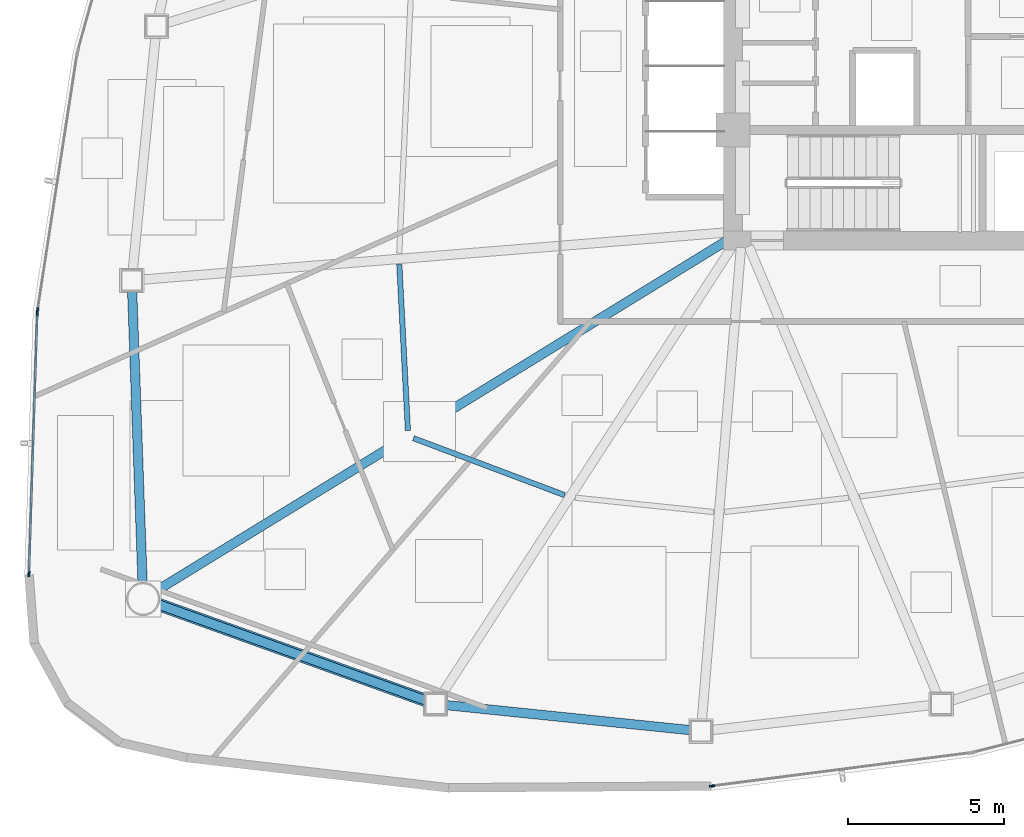
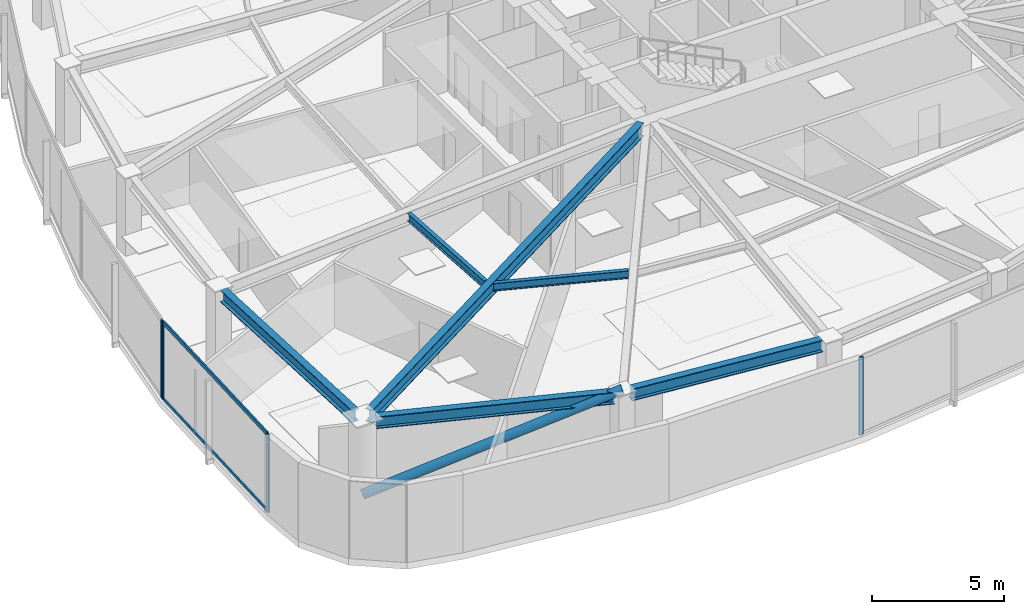
# One storey, part 2 of 17: 7 members, 6 beams, 3 elements without a shape of their own.
"""IFC4 building model written with IfcOpenShell, lengths in metres."""

from ifc_helpers import new_model, si_unit, direction, frame, origin, origin_2d, place, context, subcontext, project, spatial, hollow_rectangle, hollow_circle, i_section, extrude, source, transform, mapped, material, layer, layer_set, material_profile, profile_set, type_object, type_shapes, element, aggregate, save


model = new_model("IFC4")

# Units and contexts
model_context = context("Model", 3, precision=1e-05, world=origin(), true_north=direction((0.0, 1.0)))
body_context = subcontext(model_context, "Body", "Model", "MODEL_VIEW")
ifc_project = project(units=[si_unit("LENGTHUNIT", "METRE"), si_unit("AREAUNIT", "SQUARE_METRE"), si_unit("VOLUMEUNIT", "CUBIC_METRE"), si_unit("PLANEANGLEUNIT", "RADIAN"), si_unit("MASSUNIT", "GRAM", prefix="KILO")], contexts=[model_context])

# Site, building, storey
site_placement = place(None, origin())
site = spatial("IfcSite", under=ifc_project, at=site_placement, CompositionType="ELEMENT")
building_placement = place(site_placement, origin())
building = spatial("IfcBuilding", under=site, at=building_placement, Name="Tavelor Broadcast Tower", CompositionType="ELEMENT")
storey_placement = place(building_placement, frame((0.0, 0.0, 70.5)))
storey = spatial("IfcBuildingStorey", under=building, at=storey_placement, Name="L16", CompositionType="ELEMENT", Elevation=70.5)

# Beams
ifc_material_1 = material(Name="Steel S355", Category="steel")
ifc_material_profile_1 = material_profile(ifc_material_1, i_section(OverallWidth=0.169921875, OverallDepth=0.360107421875, WebThickness=0.008056640625, FlangeThickness=0.0126953125, at=origin_2d()), Name="IPE 360")
ifc_profile_set_1 = profile_set([ifc_material_profile_1], Name="Steel S355")
beam_type_1 = type_object("IfcBeamType", Name="Composite Floor Joist T2 IPE 360", PredefinedType="JOIST", material=ifc_profile_set_1)
beam_1_placement = place(storey_placement, frame((32.386474609375, 37.72900390625, 3.419921875), z_axis=(0.051611065527, -0.998667260861, 0.0), x_axis=(0.998667260861, 0.051611065527, 0.0)))
element("IfcBeam", 1, at=beam_1_placement, inside=storey, type_object=beam_type_1, Name="L16 Secondary Composite Floor Joist 06", PredefinedType="JOIST", context=body_context, shape_type="SweptSolid", body=[
    extrude(i_section(OverallWidth=0.169921875, OverallDepth=0.360107421875, WebThickness=0.008056640625, FlangeThickness=0.0126953125, at=origin_2d()), origin(), (0.0, 0.0, 1.0), 5.340576171875),
])
beam_2_placement = place(storey_placement, frame((32.8408203125, 32.15087890625, 3.419921875), z_axis=(0.935788002818, -0.352563205371, 0.0), x_axis=(0.352563205371, 0.935788002818, 0.0)))
element("IfcBeam", 2, at=beam_2_placement, inside=storey, type_object=beam_type_1, Name="L16 Secondary Composite Floor Joist 07", PredefinedType="JOIST", context=body_context, shape_type="SweptSolid", body=[
    extrude(i_section(OverallWidth=0.169921875, OverallDepth=0.360107421875, WebThickness=0.008056640625, FlangeThickness=0.0126953125, at=origin_2d()), origin(), (0.0, 0.0, 1.0), 5.18310546875),
])
ifc_material_profile_2 = material_profile(ifc_material_1, i_section(OverallWidth=0.300048828125, OverallDepth=0.550048828125, WebThickness=0.014892578125, FlangeThickness=0.029052734375, at=origin_2d()), Name="HEB 550")
ifc_profile_set_2 = profile_set([ifc_material_profile_2], Name="Steel S355")
beam_type_2 = type_object("IfcBeamType", Name="Perimeter Spandrel Beam T2 HEB 550", PredefinedType="SPANDREL", material=ifc_profile_set_2)
beam_3_placement = place(storey_placement, frame((23.806640625, 36.880615234375, 3.324951171875), z_axis=(0.035613586899, -0.999365635005, 0.0), x_axis=(0.999365635005, 0.035613586899, 0.0)))
element("IfcBeam", 3, at=beam_3_placement, inside=storey, type_object=beam_type_2, Name="L16 Framed-Tube Ring Spandrel 06", PredefinedType="SPANDREL", context=body_context, shape_type="SweptSolid", body=[
    extrude(i_section(OverallWidth=0.300048828125, OverallDepth=0.550048828125, WebThickness=0.014892578125, FlangeThickness=0.029052734375, at=origin_2d()), origin(), (0.0, 0.0, 1.0), 9.384765625),
])
beam_4_placement = place(storey_placement, frame((24.64111328125, 26.81640625, 3.324951171875), z_axis=(0.941105692238, -0.338112519789, 0.0), x_axis=(0.338112519789, 0.941105692238, 0.0)))
element("IfcBeam", 4, at=beam_4_placement, inside=storey, type_object=beam_type_2, Name="L16 Framed-Tube Ring Spandrel 07", PredefinedType="SPANDREL", context=body_context, shape_type="SweptSolid", body=[
    extrude(i_section(OverallWidth=0.300048828125, OverallDepth=0.550048828125, WebThickness=0.014892578125, FlangeThickness=0.029052734375, at=origin_2d()), origin(), (0.0, 0.0, 1.0), 9.13134765625),
])
beam_5_placement = place(storey_placement, frame((33.885009765625, 23.581298828125, 3.324951171875), z_axis=(0.994770407806, -0.102136358626, 0.0), x_axis=(0.102136358626, 0.994770407806, 0.0)))
element("IfcBeam", 5, at=beam_5_placement, inside=storey, type_object=beam_type_2, Name="L16 Framed-Tube Ring Spandrel 08", PredefinedType="SPANDREL", context=body_context, shape_type="SweptSolid", body=[
    extrude(i_section(OverallWidth=0.300048828125, OverallDepth=0.550048828125, WebThickness=0.014892578125, FlangeThickness=0.029052734375, at=origin_2d()), origin(), (0.0, 0.0, 1.0), 7.895263671875),
])

# Member
ifc_material_profile_3 = material_profile(ifc_material_1, hollow_circle(Radius=0.203125, WallThickness=0.02001953125, at=origin_2d()), Name="CHS 406.4x20")
ifc_profile_set_3 = profile_set([ifc_material_profile_3], Name="Steel S355")
member_type_1 = type_object("IfcMemberType", Name="Perimeter Tube Brace T2 CHS 406.4x20", PredefinedType="BRACE", material=ifc_profile_set_3)
member_1_placement = place(storey_placement, frame((24.1591796875, 26.98974609375, 0.0), z_axis=(0.885257630536, -0.318060354363, 0.339347224183), x_axis=(0.338124247145, 0.941101478849, 0.0)))
element("IfcMember", 6, at=member_1_placement, inside=storey, type_object=member_type_1, Name="L16 Corner Tube Diagonal Brace 2", PredefinedType="BRACE", context=body_context, shape_type="SweptSolid", body=[
    extrude(hollow_circle(Radius=0.203125, WallThickness=0.02001953125, at=origin_2d()), origin(), (0.0, 0.0, 1.0), 10.60888671875),
])

# Beam
ifc_material_profile_4 = material_profile(ifc_material_1, i_section(OverallWidth=0.300048828125, OverallDepth=0.60009765625, WebThickness=0.015380859375, FlangeThickness=0.030029296875, at=origin_2d()), Name="HEB 600")
ifc_profile_set_4 = profile_set([ifc_material_profile_4], Name="Steel S355")
beam_type_3 = type_object("IfcBeamType", Name="Radial Floor Girder T2 HEB 600", PredefinedType="BEAM", material=ifc_profile_set_4)
beam_6_placement = place(storey_placement, frame((42.949951171875, 38.523681640625, 3.300048828125), z_axis=(-0.852254843795, -0.52312683092, 0.0), x_axis=(0.52312683092, -0.852254843795, 0.0)))
element("IfcBeam", 7, at=beam_6_placement, inside=storey, type_object=beam_type_3, Name="L16 Radial Primary Floor Girder 07", PredefinedType="BEAM", context=body_context, shape_type="SweptSolid", body=[
    extrude(i_section(OverallWidth=0.300048828125, OverallDepth=0.60009765625, WebThickness=0.015380859375, FlangeThickness=0.030029296875, at=origin_2d()), origin(), (0.0, 0.0, 1.0), 21.5361328125),
])

# Curtain wall, member
ifc_material_2 = material(Name="Architectural Anodized Aluminium", Category="aluminium")
ifc_layer = layer(ifc_material_2, 0.179931640625)
ifc_layer_set = layer_set([ifc_layer], Name="Architectural Anodized Aluminium")
curtain_wall_type = type_object("IfcCurtainWallType", Name="Tower Low-Zone Unitised Curtain Wall CW02", PredefinedType="NOTDEFINED", material=ifc_layer_set)
curtain_wall_1_placement = place(storey_placement, origin())
curtain_wall_1 = element("IfcCurtainWall", 8, at=curtain_wall_1_placement, inside=storey, type_object=curtain_wall_type, Name="L16 Curtain Wall CW02 Run 147", PredefinedType="NOTDEFINED")
ifc_material_profile_5 = material_profile(ifc_material_2, hollow_rectangle(XDim=0.06494140625, YDim=0.179931640625, WallThickness=0.02197265625, at=origin_2d()), Name="RHS 65x180x22")
ifc_profile_set_5 = profile_set([ifc_material_profile_5], Name="Architectural Anodized Aluminium")
member_type_2 = type_object("IfcMemberType", Name="CW02 Extruded Aluminium Mullion 65x180", PredefinedType="MULLION", material=ifc_profile_set_5)
shared_shape_1 = source(origin(), body_context, "Body", "SweptSolid", [
    extrude(hollow_rectangle(XDim=0.06494140625, YDim=0.179931640625, WallThickness=0.02197265625, at=origin_2d()), origin(), (0.0, 0.0, 1.0), 3.60009765625),
])
type_shapes(member_type_2, [shared_shape_1])
member_2_placement = place(storey_placement, frame((20.768310546875, 36.2470703125, 0.0), z_axis=(0.0, 0.0, 1.0), x_axis=(0.988296598342, -0.152544530238, 0.0)))
member_2 = element("IfcMember", 9, at=member_2_placement, type_object=member_type_2, Name="CW02 mullion 2", PredefinedType="MULLION", context=body_context, shape_type="MappedRepresentation", body=[
    mapped(shared_shape_1, transform((0.0, 0.0, 0.0), scale=1.0)),
])
aggregate(curtain_wall_1, [member_2])

# Curtain wall, members
curtain_wall_2_placement = place(storey_placement, origin())
curtain_wall_2 = element("IfcCurtainWall", 10, at=curtain_wall_2_placement, inside=storey, type_object=curtain_wall_type, Name="L16 Curtain Wall CW02 Run 148", PredefinedType="NOTDEFINED")
member_3_placement = place(storey_placement, frame((20.759765625, 36.152587890625, 0.0), z_axis=(0.0, 0.0, 1.0), x_axis=(0.999493582546, -0.031821037858, 0.0)))
member_3 = element("IfcMember", 11, at=member_3_placement, type_object=member_type_2, Name="CW02 mullion 1", PredefinedType="MULLION", context=body_context, shape_type="MappedRepresentation", body=[
    mapped(shared_shape_1, transform((0.0, 0.0, 0.0), scale=1.0)),
])
member_4_placement = place(storey_placement, frame((20.493408203125, 27.787109375, 0.0), z_axis=(0.0, 0.0, 1.0), x_axis=(0.999493582546, -0.031821037858, 0.0)))
member_4 = element("IfcMember", 12, at=member_4_placement, type_object=member_type_2, Name="CW02 mullion 2", PredefinedType="MULLION", context=body_context, shape_type="MappedRepresentation", body=[
    mapped(shared_shape_1, transform((0.0, 0.0, 0.0), scale=1.0)),
])

# Curtain wall, member
curtain_wall_3_placement = place(storey_placement, origin())
curtain_wall_3 = element("IfcCurtainWall", 13, at=curtain_wall_3_placement, inside=storey, type_object=curtain_wall_type, Name="L16 Curtain Wall CW02 Run 149", PredefinedType="NOTDEFINED")
member_5_placement = place(storey_placement, frame((42.4296875, 20.98095703125, 0.0), z_axis=(0.0, 0.0, 1.0), x_axis=(-0.127501413018, 0.991838388891, 0.0)))
member_5 = element("IfcMember", 14, at=member_5_placement, type_object=member_type_2, Name="CW02 mullion 1", PredefinedType="MULLION", context=body_context, shape_type="MappedRepresentation", body=[
    mapped(shared_shape_1, transform((0.0, 0.0, 0.0), scale=1.0)),
])
aggregate(curtain_wall_3, [member_5])

# Member
ifc_material_profile_6 = material_profile(ifc_material_2, hollow_rectangle(XDim=0.06494140625, YDim=0.179931640625, WallThickness=0.02197265625, at=origin_2d()), Name="RHS 65x180x22")
ifc_profile_set_6 = profile_set([ifc_material_profile_6], Name="Architectural Anodized Aluminium")
member_type_3 = type_object("IfcMemberType", Name="CW02 Extruded Aluminium Transom 65x180", PredefinedType="USERDEFINED", material=ifc_profile_set_6)
shared_shape_2 = source(origin(), body_context, "Body", "SweptSolid", [
    extrude(hollow_rectangle(XDim=0.06494140625, YDim=0.179931640625, WallThickness=0.02197265625, at=origin_2d()), origin(), (0.0, 0.0, 1.0), 8.3046875),
])
type_shapes(member_type_3, [shared_shape_2])
member_6_placement = place(storey_placement, frame((20.758544921875, 36.1201171875, 0.032470703125), z_axis=(-0.031808361802, -0.999493986035, 0.0), x_axis=(0.999493986035, -0.031808361802, 0.0)))
member_6 = element("IfcMember", 15, at=member_6_placement, type_object=member_type_3, Name="CW02 transom 1.1", ObjectType="TRANSOM", PredefinedType="USERDEFINED", context=body_context, shape_type="MappedRepresentation", body=[
    mapped(shared_shape_2, transform((0.0, 0.0, 0.0), scale=1.0)),
])

member_7_placement = place(storey_placement, frame((20.758544921875, 36.1201171875, 3.5673828125), z_axis=(-0.031808361802, -0.999493986035, 0.0), x_axis=(0.999493986035, -0.031808361802, 0.0)))
member_7 = element("IfcMember", 16, at=member_7_placement, type_object=member_type_3, Name="CW02 transom 1.2", ObjectType="TRANSOM", PredefinedType="USERDEFINED", context=body_context, shape_type="MappedRepresentation", body=[
    mapped(shared_shape_2, transform((0.0, 0.0, 0.0), scale=1.0)),
])

aggregate(curtain_wall_2, [member_3, member_4, member_6, member_7])

save(model, "model.ifc")
